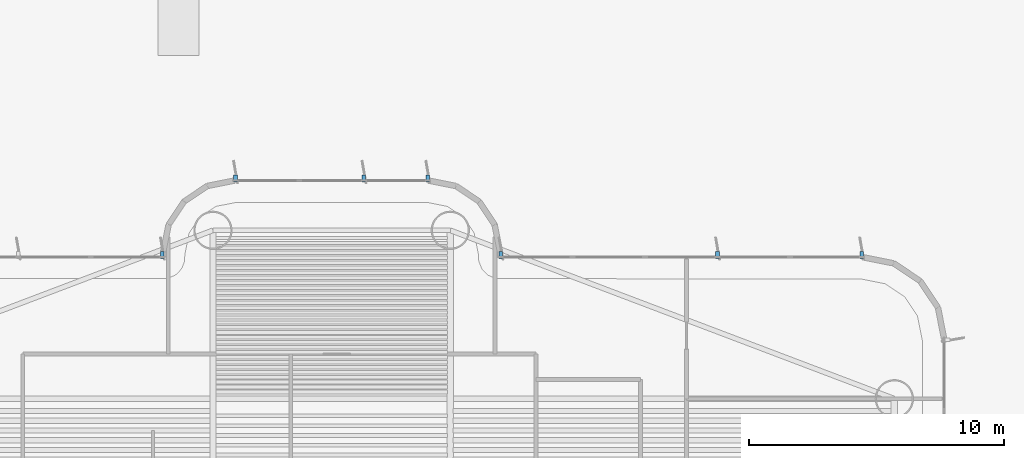
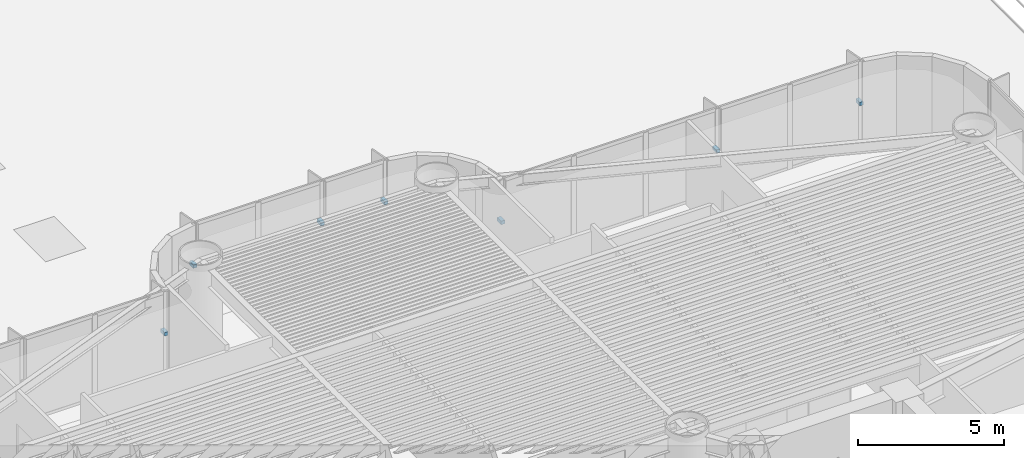
# One storey, part 13 of 17: 7 discrete accessories.
"""IFC4 building model written with IfcOpenShell, lengths in metres."""

from ifc_helpers import new_model, si_unit, direction, frame, origin, origin_2d, place, context, subcontext, project, spatial, rectangle, extrude, source, transform, mapped, material, type_object, element, save


model = new_model("IFC4")

# Units and contexts
model_context = context("Model", 3, precision=1e-05, world=origin(), true_north=direction((0.0, 1.0)))
body_context = subcontext(model_context, "Body", "Model", "MODEL_VIEW")
ifc_project = project(units=[si_unit("LENGTHUNIT", "METRE"), si_unit("AREAUNIT", "SQUARE_METRE"), si_unit("VOLUMEUNIT", "CUBIC_METRE"), si_unit("PLANEANGLEUNIT", "RADIAN"), si_unit("MASSUNIT", "GRAM", prefix="KILO")], contexts=[model_context])

# Site, building, storey
site_placement = place(None, origin())
site = spatial("IfcSite", under=ifc_project, at=site_placement, CompositionType="ELEMENT")
building_placement = place(site_placement, origin())
building = spatial("IfcBuilding", under=site, at=building_placement, Name="Brelvock Crest Care Tower", CompositionType="ELEMENT")
storey_placement = place(building_placement, frame((0.0, 0.0, 27.0)))
storey = spatial("IfcBuildingStorey", under=building, at=storey_placement, Name="L06", CompositionType="ELEMENT", Elevation=27.0)

# Discrete accessories
ifc_material = material(Name="Steel Grade 350", Category="steel")
discrete_accessory_type = type_object("IfcDiscreteAccessoryType", Name="ACC-BRK1", PredefinedType="BRACKET", material=ifc_material)
shared_shape = source(origin(), body_context, "Body", "SweptSolid", [
    extrude(rectangle(XDim=0.280029296875, YDim=0.139892578125, at=origin_2d()), origin(), (0.0, 0.0, 1.0), 0.139892578125),
])
for number, where, z_axis, x_axis, name in (
    (1, (29.367431640625, 36.080078125, 1.69482421875), (0.0, 0.0, 1.0), (0.0, 1.0, 0.0), "L06 Facade Fin Bracket E18-06"),
    (2, (32.232421875, 39.080078125, 1.69482421875), (0.0, 0.0, 1.0), (0.0, 1.0, 0.0), "L06 Facade Fin Bracket E24-01"),
    (3, (37.2666015625, 39.080078125, 1.69482421875), (0.0, 0.0, 1.0), (0.0, 1.0, 0.0), "L06 Facade Fin Bracket E24-03"),
    (4, (39.767578125, 39.080078125, 1.69482421875), (0.0, 0.0, 1.0), (0.0, 1.0, 0.0), "L06 Facade Fin Bracket E24-04"),
    (5, (42.632568359375, 36.080078125, 1.69482421875), (0.0, 0.0, 1.0), (0.0, 1.0, 0.0), "L06 Facade Fin Bracket E30-01"),
    (6, (51.1201171875, 36.080078125, 1.69482421875), (0.0, 0.0, 1.0), (0.0, 1.0, 0.0), "L06 Facade Fin Bracket E30-04"),
    (7, (56.767578125, 36.080078125, 1.69482421875), (0.0, 0.0, 1.0), (0.0, 1.0, 0.0), "L06 Facade Fin Bracket E30-06"),
):
    element("IfcDiscreteAccessory", number, at=place(storey_placement, frame(where, z_axis=z_axis, x_axis=x_axis)), inside=storey, type_object=discrete_accessory_type, Name=name, PredefinedType="BRACKET", context=body_context, shape_type="MappedRepresentation", body=[
        mapped(shared_shape, transform((0.0, 0.0, 0.0), x_axis=(1.0, 0.0, 0.0), y_axis=(0.0, 1.0, 0.0), z_axis=(0.0, 0.0, 1.0), scale=1.0)),
    ])

save(model, "model.ifc")
